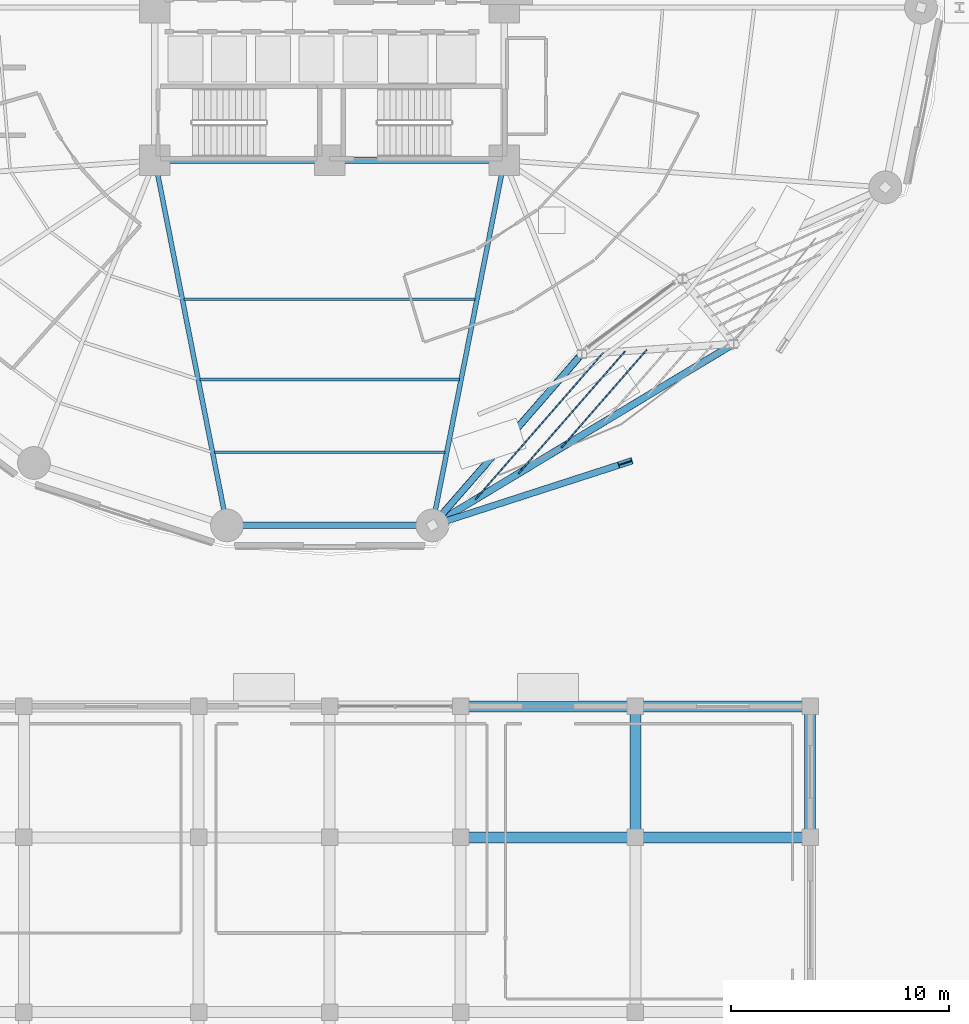
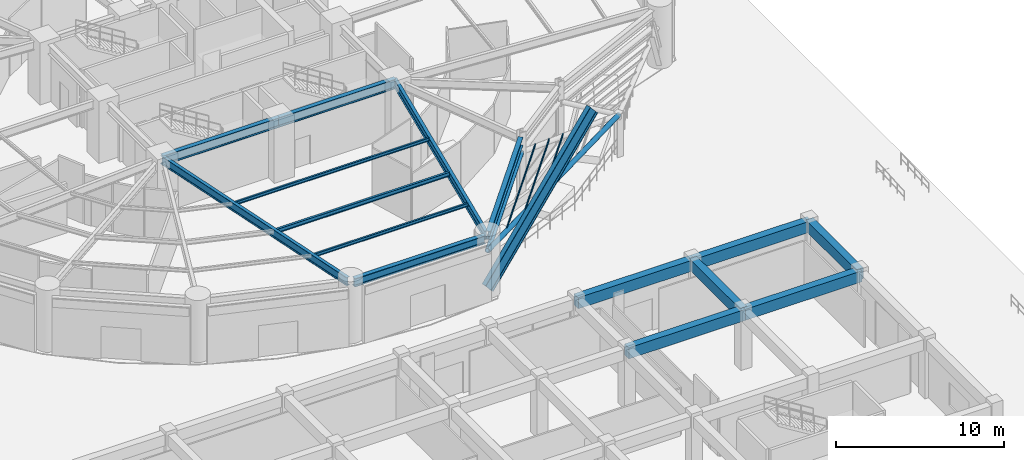
# One storey, part 19 of 40: 16 beams, 5 members.
"""IFC4 building model written with IfcOpenShell, lengths in metres."""

from ifc_helpers import new_model, si_unit, direction, frame, origin, origin_2d, place, context, subcontext, project, spatial, rectangle, hollow_rectangle, hollow_circle, i_section, extrude, material, material_profile, profile_set, type_object, element, save


model = new_model("IFC4")

# Units and contexts
model_context = context("Model", 3, precision=1e-05, world=origin(), true_north=direction((0.0, 1.0)))
body_context = subcontext(model_context, "Body", "Model", "MODEL_VIEW")
ifc_project = project(units=[si_unit("LENGTHUNIT", "METRE"), si_unit("AREAUNIT", "SQUARE_METRE"), si_unit("VOLUMEUNIT", "CUBIC_METRE"), si_unit("PLANEANGLEUNIT", "RADIAN"), si_unit("MASSUNIT", "GRAM", prefix="KILO")], contexts=[model_context])

# Site, building, storey
site_placement = place(None, origin())
site = spatial("IfcSite", under=ifc_project, at=site_placement, CompositionType="ELEMENT")
building_placement = place(site_placement, origin())
building = spatial("IfcBuilding", under=site, at=building_placement, Name="Kelanora Arch Commons", CompositionType="ELEMENT")
storey_placement = place(building_placement, origin())
storey = spatial("IfcBuildingStorey", under=building, at=storey_placement, Name="L00", CompositionType="ELEMENT", Elevation=0.0)

# Beams
ifc_material_1 = material(Name="Steel S355", Category="steel")
ifc_material_profile_1 = material_profile(ifc_material_1, i_section(OverallWidth=0.302001953125, OverallDepth=1.008056640625, WebThickness=0.02099609375, FlangeThickness=0.0400390625, FilletRadius=0.030029296875, at=origin_2d()), Name="HEM1000")
ifc_profile_set_1 = profile_set([ifc_material_profile_1], Name="Steel S355")
beam_type_1 = type_object("IfcBeamType", Name="BM-ARCH-RIB", PredefinedType="USERDEFINED", material=ifc_profile_set_1)
beam_1_placement = place(storey_placement, frame((78.702392578125, 34.285888671875, 0.25), z_axis=(0.715170889913, 0.231449127747, 0.659516413356), x_axis=(-0.307904957748, 0.951417120402, 0.0)))
element("IfcBeam", 1, at=beam_1_placement, inside=storey, type_object=beam_type_1, Name="Courtyard Portal Arch Rib SE-1", ObjectType="ARCH_RIB", PredefinedType="USERDEFINED", context=body_context, shape_type="SweptSolid", body=[
    extrude(i_section(OverallWidth=0.302001953125, OverallDepth=1.008056640625, WebThickness=0.02099609375, FlangeThickness=0.0400390625, FilletRadius=0.030029296875, at=origin_2d()), origin(), (0.0, 0.0, 1.0), 12.357421875),
])
ifc_material_profile_2 = material_profile(ifc_material_1, i_section(OverallWidth=0.300048828125, OverallDepth=0.699951171875, WebThickness=0.01708984375, FlangeThickness=0.031982421875, FilletRadius=0.027099609375, at=origin_2d()), Name="HEB700")
ifc_profile_set_2 = profile_set([ifc_material_profile_2], Name="Steel S355")
beam_type_2 = type_object("IfcBeamType", Name="BM-CORE-HDR", PredefinedType="BEAM", material=ifc_profile_set_2)
for number, where, z_axis, x_axis, name in (
    (2, (66.0, 51.0, 3.85009765625), (1.0, 0.0, 0.0), (0.0, 1.0, 0.0), "Core Header Beam 01 L00"),
    (3, (74.0, 51.0, 3.85009765625), (1.0, 0.0, 0.0), (0.0, 1.0, 0.0), "Core Header Beam 02 L00"),
):
    element("IfcBeam", number, at=place(storey_placement, frame(where, z_axis=z_axis, x_axis=x_axis)), inside=storey, type_object=beam_type_2, Name=name, PredefinedType="BEAM", context=body_context, shape_type="SweptSolid", body=[
        extrude(i_section(OverallWidth=0.300048828125, OverallDepth=0.699951171875, WebThickness=0.01708984375, FlangeThickness=0.031982421875, FilletRadius=0.027099609375, at=origin_2d()), origin(), (0.0, 0.0, 1.0), 8.0),
    ])
ifc_material_profile_3 = material_profile(ifc_material_1, i_section(OverallWidth=0.14990234375, OverallDepth=0.300048828125, WebThickness=0.007080078125, FlangeThickness=0.0107421875, FilletRadius=0.014892578125, at=origin_2d()), Name="IPE300")
ifc_profile_set_3 = profile_set([ifc_material_profile_3], Name="Steel S355")
beam_type_3 = type_object("IfcBeamType", Name="BM-JST-01", PredefinedType="JOIST", material=ifc_profile_set_3)
beam_2_placement = place(storey_placement, frame((68.063720703125, 40.971435546875, 4.050048828125), z_axis=(1.0, 0.0, 0.0), x_axis=(0.0, 1.0, 0.0)))
element("IfcBeam", 4, at=beam_2_placement, inside=storey, type_object=beam_type_3, Name="Secondary Chord Joist BJB-26 L00", PredefinedType="JOIST", context=body_context, shape_type="SweptSolid", body=[
    extrude(i_section(OverallWidth=0.14990234375, OverallDepth=0.300048828125, WebThickness=0.007080078125, FlangeThickness=0.0107421875, FilletRadius=0.014892578125, at=origin_2d()), origin(), (0.0, 0.0, 1.0), 11.87255859375),
])
ifc_material_profile_4 = material_profile(ifc_material_1, i_section(OverallWidth=0.1201171875, OverallDepth=0.239990234375, WebThickness=0.006103515625, FlangeThickness=0.009765625, FilletRadius=0.014892578125, at=origin_2d()), Name="IPE240")
ifc_profile_set_4 = profile_set([ifc_material_profile_4], Name="Steel S355")
beam_type_4 = type_object("IfcBeamType", Name="BM-JST-02", PredefinedType="JOIST", material=ifc_profile_set_4)
beam_3_placement = place(storey_placement, frame((67.338134765625, 44.648681640625, 4.080078125), z_axis=(1.0, 0.0, 0.0), x_axis=(0.0, 1.0, 0.0)))
element("IfcBeam", 5, at=beam_3_placement, inside=storey, type_object=beam_type_4, Name="Secondary Chord Joist BJA-26 L00", PredefinedType="JOIST", context=body_context, shape_type="SweptSolid", body=[
    extrude(i_section(OverallWidth=0.1201171875, OverallDepth=0.239990234375, WebThickness=0.006103515625, FlangeThickness=0.009765625, FilletRadius=0.014892578125, at=origin_2d()), origin(), (0.0, 0.0, 1.0), 13.32373046875),
])
beam_4_placement = place(storey_placement, frame((68.72314453125, 37.628662109375, 4.080078125), z_axis=(1.0, 0.0, 0.0), x_axis=(0.0, 1.0, 0.0)))
element("IfcBeam", 6, at=beam_4_placement, inside=storey, type_object=beam_type_4, Name="Secondary Chord Joist BJC-26 L00", PredefinedType="JOIST", context=body_context, shape_type="SweptSolid", body=[
    extrude(i_section(OverallWidth=0.1201171875, OverallDepth=0.239990234375, WebThickness=0.006103515625, FlangeThickness=0.009765625, FilletRadius=0.014892578125, at=origin_2d()), origin(), (0.0, 0.0, 1.0), 10.5537109375),
])
ifc_material_2 = material(Name="Concrete C40/50", Category="concrete")
ifc_material_profile_5 = material_profile(ifc_material_2, rectangle(XDim=0.5, YDim=0.800048828125, at=origin_2d()), Name="RCB500x800")
ifc_profile_set_5 = profile_set([ifc_material_profile_5], Name="Concrete C40/50")
beam_type_5 = type_object("IfcBeamType", Name="BM-MKT-RC1", PredefinedType="BEAM", material=ifc_profile_set_5)
for number, where, z_axis, x_axis, name in (
    (7, (80.0, 20.0, 3.840087890625), (1.0, 0.0, 0.0), (0.0, 1.0, 0.0), "Market/Basement Frame Beam 133 L00"),
    (8, (80.0, 26.0, 3.840087890625), (1.0, 0.0, 0.0), (0.0, 1.0, 0.0), "Market/Basement Frame Beam 135 L00"),
    (9, (88.0, 20.0, 3.840087890625), (1.0, 0.0, 0.0), (0.0, 1.0, 0.0), "Market/Basement Frame Beam 139 L00"),
):
    element("IfcBeam", number, at=place(storey_placement, frame(where, z_axis=z_axis, x_axis=x_axis)), inside=storey, type_object=beam_type_5, Name=name, PredefinedType="BEAM", context=body_context, shape_type="SweptSolid", body=[
        extrude(rectangle(XDim=0.5, YDim=0.800048828125, at=origin_2d()), origin(), (0.0, 0.0, 1.0), 8.0),
    ])
beam_5_placement = place(storey_placement, frame((88.0, 20.0, 3.840087890625), z_axis=(0.0, 1.0, 0.0), x_axis=(-1.0, 0.0, 0.0)))
element("IfcBeam", 10, at=beam_5_placement, inside=storey, type_object=beam_type_5, Name="Market/Basement Frame Beam 140 L00", PredefinedType="BEAM", context=body_context, shape_type="SweptSolid", body=[
    extrude(rectangle(XDim=0.5, YDim=0.800048828125, at=origin_2d()), origin(), (0.0, 0.0, 1.0), 6.0),
])
beam_6_placement = place(storey_placement, frame((88.0, 26.0, 3.840087890625), z_axis=(1.0, 0.0, 0.0), x_axis=(0.0, 1.0, 0.0)))
element("IfcBeam", 11, at=beam_6_placement, inside=storey, type_object=beam_type_5, Name="Market/Basement Frame Beam 141 L00", PredefinedType="BEAM", context=body_context, shape_type="SweptSolid", body=[
    extrude(rectangle(XDim=0.5, YDim=0.800048828125, at=origin_2d()), origin(), (0.0, 0.0, 1.0), 8.0),
])
beam_7_placement = place(storey_placement, frame((96.0, 20.0, 3.840087890625), z_axis=(0.0, 1.0, 0.0), x_axis=(-1.0, 0.0, 0.0)))
element("IfcBeam", 12, at=beam_7_placement, inside=storey, type_object=beam_type_5, Name="Market/Basement Frame Beam 144 L00", PredefinedType="BEAM", context=body_context, shape_type="SweptSolid", body=[
    extrude(rectangle(XDim=0.5, YDim=0.800048828125, at=origin_2d()), origin(), (0.0, 0.0, 1.0), 6.0),
])
ifc_material_profile_6 = material_profile(ifc_material_1, i_section(OverallWidth=0.219970703125, OverallDepth=0.60009765625, WebThickness=0.011962890625, FlangeThickness=0.01904296875, FilletRadius=0.02392578125, at=origin_2d()), Name="IPE600")
ifc_profile_set_6 = profile_set([ifc_material_profile_6], Name="Steel S355")
beam_type_6 = type_object("IfcBeamType", Name="BM-RAD-Z1", PredefinedType="BEAM", material=ifc_profile_set_6)
for number, where, z_axis, x_axis, name in (
    (13, (66.0, 51.0, 3.89990234375), (0.193555256292, -0.981089375522, 0.0), (0.981089375522, 0.193555256292, 0.0), "Radial Floor Girder BR-26 L00"),
    (14, (82.0, 51.0, 3.89990234375), (-0.193555256292, -0.981089375522, 0.0), (0.981089375522, -0.193555256292, 0.0), "Radial Floor Girder BR-28 L00"),
):
    element("IfcBeam", number, at=place(storey_placement, frame(where, z_axis=z_axis, x_axis=x_axis)), inside=storey, type_object=beam_type_6, Name=name, PredefinedType="BEAM", context=body_context, shape_type="SweptSolid", body=[
        extrude(i_section(OverallWidth=0.219970703125, OverallDepth=0.60009765625, WebThickness=0.011962890625, FlangeThickness=0.01904296875, FilletRadius=0.02392578125, at=origin_2d()), origin(), (0.0, 0.0, 1.0), 16.81640625),
    ])
ifc_material_profile_7 = material_profile(ifc_material_1, i_section(OverallWidth=0.300048828125, OverallDepth=0.60009765625, WebThickness=0.015380859375, FlangeThickness=0.030029296875, FilletRadius=0.027099609375, at=origin_2d()), Name="HEB600")
ifc_profile_set_7 = profile_set([ifc_material_profile_7], Name="Steel S355")
beam_type_7 = type_object("IfcBeamType", Name="BM-SPN-Z1", PredefinedType="SPANDREL", material=ifc_profile_set_7)
beam_8_placement = place(storey_placement, frame((69.517578125, 34.285888671875, 3.89990234375), z_axis=(1.0, 0.0, 0.0), x_axis=(0.0, 1.0, 0.0)))
element("IfcBeam", 15, at=beam_8_placement, inside=storey, type_object=beam_type_7, Name="Perimeter Spandrel Beam BS-26 L00", PredefinedType="SPANDREL", context=body_context, shape_type="SweptSolid", body=[
    extrude(i_section(OverallWidth=0.300048828125, OverallDepth=0.60009765625, WebThickness=0.015380859375, FlangeThickness=0.030029296875, FilletRadius=0.027099609375, at=origin_2d()), origin(), (0.0, 0.0, 1.0), 8.96484375),
])
beam_9_placement = place(storey_placement, frame((78.846923828125, 34.45166015625, 3.89990234375), z_axis=(0.657217586408, 0.753700898311, 0.0), x_axis=(-0.753700898311, 0.657217586408, 0.0)))
element("IfcBeam", 16, at=beam_9_placement, inside=storey, type_object=beam_type_7, Name="Perimeter Spandrel Beam BS-28 L00", PredefinedType="SPANDREL", context=body_context, shape_type="SweptSolid", body=[
    extrude(i_section(OverallWidth=0.300048828125, OverallDepth=0.60009765625, WebThickness=0.015380859375, FlangeThickness=0.030029296875, FilletRadius=0.027099609375, at=origin_2d()), origin(), (0.0, 0.0, 1.0), 9.97216796875),
])

# Members
ifc_material_profile_8 = material_profile(ifc_material_1, hollow_circle(Radius=0.161865234375, WallThickness=0.01611328125, at=origin_2d()), Name="CHS323.9x16")
ifc_profile_set_8 = profile_set([ifc_material_profile_8], Name="Steel S355")
member_type_1 = type_object("IfcMemberType", Name="MEM-MKT-CHORD", PredefinedType="CHORD", material=ifc_profile_set_8)
member_1_placement = place(storey_placement, frame((78.702392578125, 34.285888671875, 2.93994140625), z_axis=(0.8565151873, 0.516121820818, 0.0), x_axis=(-0.516121820818, 0.8565151873, 0.0)))
element("IfcMember", 17, at=member_1_placement, inside=storey, type_object=member_type_1, Name="Planted Courtyard Pergola Chord SE-C1", PredefinedType="CHORD", context=body_context, shape_type="SweptSolid", body=[
    extrude(hollow_circle(Radius=0.161865234375, WallThickness=0.01611328125, at=origin_2d()), origin(), (0.0, 0.0, 1.0), 16.10888671875),
])
member_2_placement = place(storey_placement, frame((78.702392578125, 34.285888671875, 2.93994140625), z_axis=(0.657228792011, 0.753691127022, 0.0), x_axis=(-0.753691127022, 0.657228792011, 0.0)))
element("IfcMember", 18, at=member_2_placement, inside=storey, type_object=member_type_1, Name="Planted Courtyard Pergola Chord SE-X1", PredefinedType="CHORD", context=body_context, shape_type="SweptSolid", body=[
    extrude(hollow_circle(Radius=0.161865234375, WallThickness=0.01611328125, at=origin_2d()), origin(), (0.0, 0.0, 1.0), 10.412353515625),
])
ifc_material_profile_9 = material_profile(ifc_material_1, hollow_rectangle(XDim=0.070068359375, YDim=0.179931640625, WallThickness=0.0048828125, InnerFilletRadius=0.0048828125, OuterFilletRadius=0.010009765625, at=origin_2d()), Name="RHS180x70x5")
ifc_profile_set_9 = profile_set([ifc_material_profile_9], Name="Steel S355")
member_type_2 = type_object("IfcMemberType", Name="MEM-MKT-PURLIN", PredefinedType="PURLIN", material=ifc_profile_set_9)
member_3_placement = place(storey_placement, frame((80.673583984375, 35.473388671875, 3.080078125), z_axis=(0.657204142121, 0.753712621347, 0.0), x_axis=(-0.753712621347, 0.657204142121, 0.0)))
element("IfcMember", 19, at=member_3_placement, inside=storey, type_object=member_type_2, Name="Courtyard Garden Trellis Blade SE-A1", PredefinedType="PURLIN", context=body_context, shape_type="SweptSolid", body=[
    extrude(hollow_rectangle(XDim=0.070068359375, YDim=0.179931640625, WallThickness=0.0048828125, InnerFilletRadius=0.0048828125, OuterFilletRadius=0.010009765625, at=origin_2d()), origin(), (0.0, 0.0, 1.0), 8.9248046875),
])
member_4_placement = place(storey_placement, frame((82.64453125, 36.661376953125, 3.080078125), z_axis=(0.657239447227, 0.753681835398, 0.0), x_axis=(-0.753681835398, 0.657239447227, 0.0)))
element("IfcMember", 20, at=member_4_placement, inside=storey, type_object=member_type_2, Name="Courtyard Garden Trellis Blade SE-A2", PredefinedType="PURLIN", context=body_context, shape_type="SweptSolid", body=[
    extrude(hollow_rectangle(XDim=0.070068359375, YDim=0.179931640625, WallThickness=0.0048828125, InnerFilletRadius=0.0048828125, OuterFilletRadius=0.010009765625, at=origin_2d()), origin(), (0.0, 0.0, 1.0), 7.4375),
])
member_5_placement = place(storey_placement, frame((84.61572265625, 37.84912109375, 3.080078125), z_axis=(0.657225462176, 0.75369403067, 0.0), x_axis=(-0.75369403067, 0.657225462176, 0.0)))
element("IfcMember", 21, at=member_5_placement, inside=storey, type_object=member_type_2, Name="Courtyard Garden Trellis Blade SE-A3", PredefinedType="PURLIN", context=body_context, shape_type="SweptSolid", body=[
    extrude(hollow_rectangle(XDim=0.070068359375, YDim=0.179931640625, WallThickness=0.0048828125, InnerFilletRadius=0.0048828125, OuterFilletRadius=0.010009765625, at=origin_2d()), origin(), (0.0, 0.0, 1.0), 5.949951171875),
])

save(model, "model.ifc")
